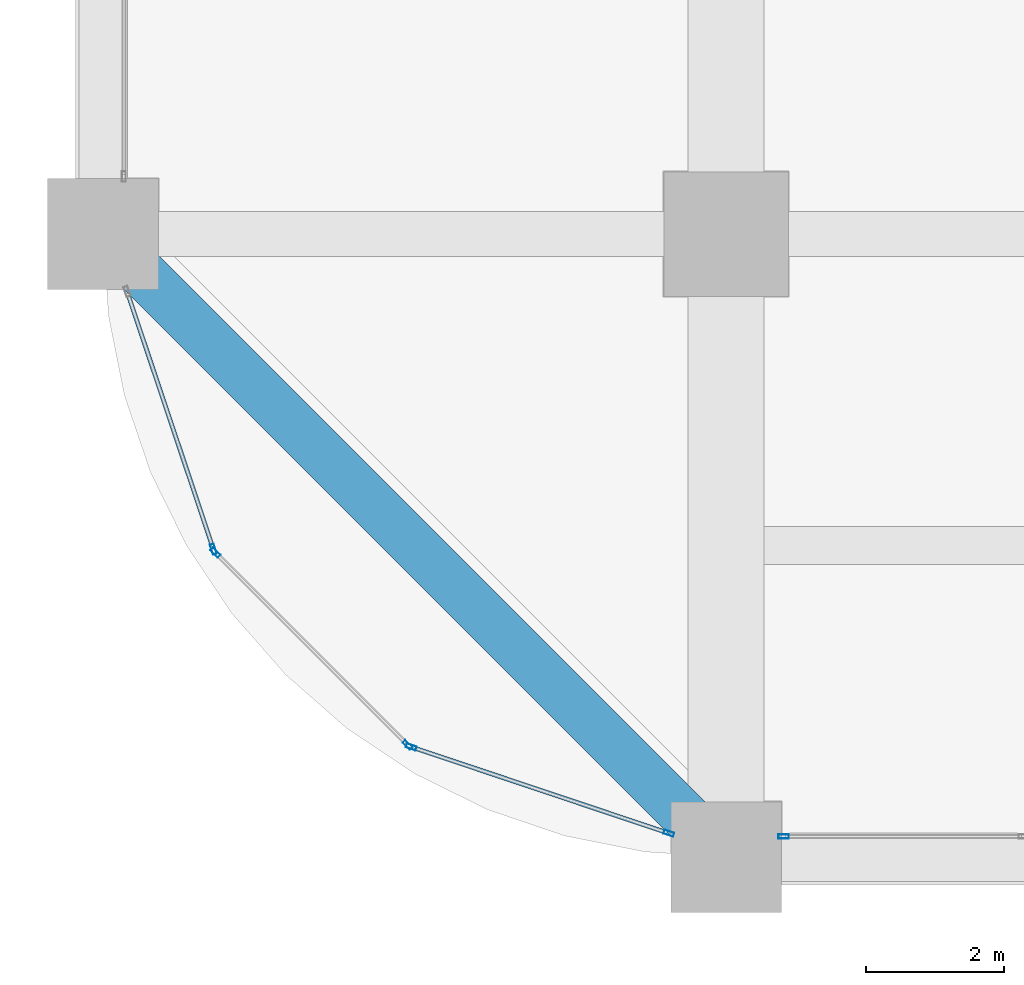
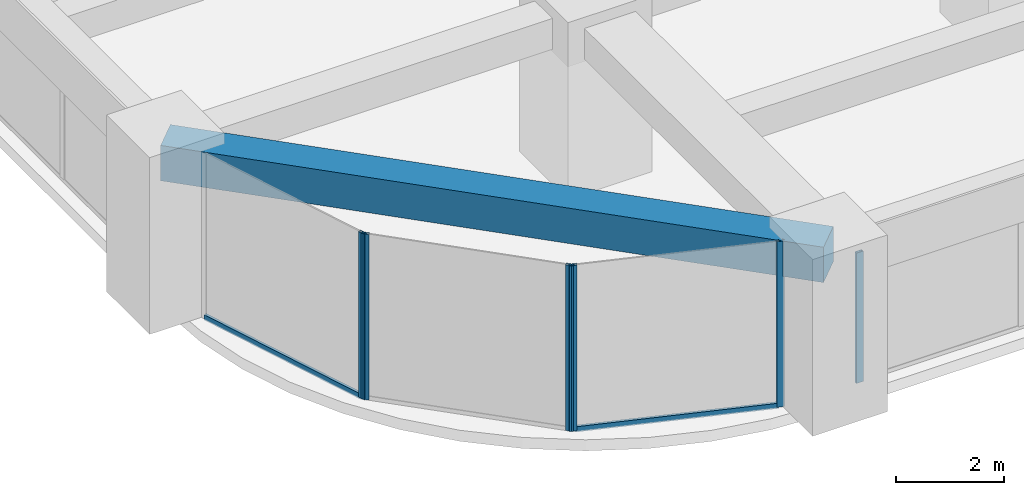
# One storey, part 2 of 39: 8 members, 1 beam, 4 elements without a shape of their own.
"""IFC4 building model written with IfcOpenShell, lengths in metres."""

from ifc_helpers import new_model, si_unit, direction, frame, origin, origin_2d, place, context, subcontext, project, spatial, rectangle, hollow_rectangle, extrude, material, material_profile, profile_set, type_object, element, aggregate, save


model = new_model("IFC4")

# Units and contexts
model_context = context("Model", 3, precision=1e-05, world=origin(), true_north=direction((0.0, 1.0)))
body_context = subcontext(model_context, "Body", "Model", "MODEL_VIEW")
ifc_project = project(units=[si_unit("LENGTHUNIT", "METRE"), si_unit("AREAUNIT", "SQUARE_METRE"), si_unit("VOLUMEUNIT", "CUBIC_METRE"), si_unit("PLANEANGLEUNIT", "RADIAN"), si_unit("MASSUNIT", "GRAM", prefix="KILO")], contexts=[model_context])

# Site, building, storey
site_placement = place(None, origin())
site = spatial("IfcSite", under=ifc_project, at=site_placement, CompositionType="ELEMENT")
building_placement = place(site_placement, origin())
building = spatial("IfcBuilding", under=site, at=building_placement, Name="Zorevar Civic Tower", CompositionType="ELEMENT")
storey_placement = place(building_placement, frame((0.0, 0.0, 125.0)))
storey = spatial("IfcBuildingStorey", under=building, at=storey_placement, Name="L30", CompositionType="ELEMENT", Elevation=125.0)

# Curtain wall, member
ifc_material_1 = material(Name="Dark grey solar-control glass in black aluminium frame", Category="aluminium")
curtain_wall_type = type_object("IfcCurtainWallType", Name="Curtain wall CW3 mid zone", PredefinedType="NOTDEFINED", material=ifc_material_1)
curtain_wall_1_placement = place(storey_placement, origin())
curtain_wall_1 = element("IfcCurtainWall", 1, at=curtain_wall_1_placement, inside=storey, type_object=curtain_wall_type, Name="CW3 L30", PredefinedType="NOTDEFINED")
ifc_material_2 = material(Name="Aluminium, black anodised", Category="aluminium")
ifc_material_profile_1 = material_profile(ifc_material_2, hollow_rectangle(XDim=0.06005859375, YDim=0.14990234375, WallThickness=0.00390625, at=origin_2d()), Name="AL 150x60x4")
ifc_profile_set_1 = profile_set([ifc_material_profile_1], Name="Aluminium, black anodised")
member_type_1 = type_object("IfcMemberType", Name="CW3 mullion AL 150x60x4", PredefinedType="MULLION", material=ifc_profile_set_1)
member_1_placement = place(storey_placement, frame((9.830078125, 0.300048828125, 0.0), z_axis=(0.0, 0.0, 1.0), x_axis=(0.0, 1.0, 0.0)))
member_1 = element("IfcMember", 2, at=member_1_placement, type_object=member_type_1, Name="CW3 mullion 1", PredefinedType="MULLION", context=body_context, shape_type="SweptSolid", body=[
    extrude(hollow_rectangle(XDim=0.06005859375, YDim=0.14990234375, WallThickness=0.00390625, at=origin_2d()), origin(), (0.0, 0.0, 1.0), 2.949951171875),
])
aggregate(curtain_wall_1, [member_1])

curtain_wall_2_placement = place(storey_placement, origin())
curtain_wall_2 = element("IfcCurtainWall", 3, at=curtain_wall_2_placement, inside=storey, type_object=curtain_wall_type, Name="CW3 L30", PredefinedType="NOTDEFINED")
member_2_placement = place(storey_placement, frame((1.59326171875, 4.44921875, 0.0), z_axis=(0.0, 0.0, 1.0), x_axis=(0.948227238701, 0.317592669603, 0.0)))
member_2 = element("IfcMember", 4, at=member_2_placement, type_object=member_type_1, Name="CW3 mullion 2", PredefinedType="MULLION", context=body_context, shape_type="SweptSolid", body=[
    extrude(hollow_rectangle(XDim=0.06005859375, YDim=0.14990234375, WallThickness=0.00390625, at=origin_2d()), origin(), (0.0, 0.0, 1.0), 3.75),
])

# Curtain wall, members
curtain_wall_3_placement = place(storey_placement, origin())
curtain_wall_3 = element("IfcCurtainWall", 5, at=curtain_wall_3_placement, inside=storey, type_object=curtain_wall_type, Name="CW3 L30", PredefinedType="NOTDEFINED")
member_3_placement = place(storey_placement, frame((1.6240234375, 4.399658203125, 0.0), z_axis=(0.0, 0.0, 1.0), x_axis=(0.707106781187, 0.707106781187, 0.0)))
member_3 = element("IfcMember", 6, at=member_3_placement, type_object=member_type_1, Name="CW3 mullion 1", PredefinedType="MULLION", context=body_context, shape_type="SweptSolid", body=[
    extrude(hollow_rectangle(XDim=0.06005859375, YDim=0.14990234375, WallThickness=0.00390625, at=origin_2d()), origin(), (0.0, 0.0, 1.0), 3.75),
])
member_4_placement = place(storey_placement, frame((4.399658203125, 1.6240234375, 0.0), z_axis=(0.0, 0.0, 1.0), x_axis=(0.707106781187, 0.707106781187, 0.0)))
member_4 = element("IfcMember", 7, at=member_4_placement, type_object=member_type_1, Name="CW3 mullion 2", PredefinedType="MULLION", context=body_context, shape_type="SweptSolid", body=[
    extrude(hollow_rectangle(XDim=0.06005859375, YDim=0.14990234375, WallThickness=0.00390625, at=origin_2d()), origin(), (0.0, 0.0, 1.0), 3.75),
])
aggregate(curtain_wall_3, [member_3, member_4])

curtain_wall_4_placement = place(storey_placement, origin())
curtain_wall_4 = element("IfcCurtainWall", 8, at=curtain_wall_4_placement, inside=storey, type_object=curtain_wall_type, Name="CW3 L30", PredefinedType="NOTDEFINED")
member_5_placement = place(storey_placement, frame((4.44921875, 1.59326171875, 0.0), z_axis=(0.0, 0.0, 1.0), x_axis=(0.317592669603, 0.948227238701, 0.0)))
member_5 = element("IfcMember", 9, at=member_5_placement, type_object=member_type_1, Name="CW3 mullion 1", PredefinedType="MULLION", context=body_context, shape_type="SweptSolid", body=[
    extrude(hollow_rectangle(XDim=0.06005859375, YDim=0.14990234375, WallThickness=0.00390625, at=origin_2d()), origin(), (0.0, 0.0, 1.0), 3.75),
])
member_6_placement = place(storey_placement, frame((8.171630859375, 0.346435546875, 0.0), z_axis=(0.0, 0.0, 1.0), x_axis=(0.317592669603, 0.948227238701, 0.0)))
member_6 = element("IfcMember", 10, at=member_6_placement, type_object=member_type_1, Name="CW3 mullion 2", PredefinedType="MULLION", context=body_context, shape_type="SweptSolid", body=[
    extrude(hollow_rectangle(XDim=0.06005859375, YDim=0.14990234375, WallThickness=0.00390625, at=origin_2d()), origin(), (0.0, 0.0, 1.0), 3.75),
])

# Member
ifc_material_3 = material(Name="Aluminium, black anodised", Category="aluminium")
ifc_material_profile_2 = material_profile(ifc_material_3, hollow_rectangle(XDim=0.06005859375, YDim=0.1201171875, WallThickness=0.0029296875, at=origin_2d()), Name="AL 120x60x3")
ifc_profile_set_2 = profile_set([ifc_material_profile_2], Name="Aluminium, black anodised")
member_type_2 = type_object("IfcMemberType", Name="CW3 transom AL 120x60x3", PredefinedType="USERDEFINED", material=ifc_profile_set_2)
member_7_placement = place(storey_placement, frame((0.35595703125, 8.14306640625, 0.030029296875), z_axis=(0.317629563458, -0.94821488093, 0.0), x_axis=(0.94821488093, 0.317629563458, 0.0)))
member_7 = element("IfcMember", 11, at=member_7_placement, type_object=member_type_2, Name="CW3 sill transom", ObjectType="TRANSOM", PredefinedType="USERDEFINED", context=body_context, shape_type="SweptSolid", body=[
    extrude(hollow_rectangle(XDim=0.06005859375, YDim=0.1201171875, WallThickness=0.0029296875, at=origin_2d()), origin(), (0.0, 0.0, 1.0), 3.865478515625),
])

aggregate(curtain_wall_2, [member_2, member_7])

member_8_placement = place(storey_placement, frame((4.477783203125, 1.583740234375, 0.030029296875), z_axis=(0.94821488093, -0.317629563458, 0.0), x_axis=(0.317629563458, 0.94821488093, 0.0)))
member_8 = element("IfcMember", 12, at=member_8_placement, type_object=member_type_2, Name="CW3 sill transom", ObjectType="TRANSOM", PredefinedType="USERDEFINED", context=body_context, shape_type="SweptSolid", body=[
    extrude(hollow_rectangle(XDim=0.06005859375, YDim=0.1201171875, WallThickness=0.0029296875, at=origin_2d()), origin(), (0.0, 0.0, 1.0), 3.865478515625),
])

aggregate(curtain_wall_4, [member_5, member_6, member_8])

# Beam
ifc_material_4 = material(Name="Concrete C50/60", Category="concrete")
ifc_material_profile_3 = material_profile(ifc_material_4, rectangle(XDim=0.699951171875, YDim=0.800048828125, at=origin_2d()), Name="RC 700x800")
ifc_profile_set_3 = profile_set([ifc_material_profile_3], Name="Concrete C50/60")
beam_type = type_object("IfcBeamType", Name="Edge beam RC 700x800", PredefinedType="SPANDREL", material=ifc_profile_set_3)
beam_placement = place(storey_placement, frame((0.0, 9.0, 3.35009765625), z_axis=(0.707106781187, -0.707106781187, 0.0), x_axis=(0.707106781187, 0.707106781187, 0.0)))
element("IfcBeam", 13, at=beam_placement, inside=storey, type_object=beam_type, Name="Corner edge beam L31", PredefinedType="SPANDREL", context=body_context, shape_type="SweptSolid", body=[
    extrude(rectangle(XDim=0.699951171875, YDim=0.800048828125, at=origin_2d()), origin(), (0.0, 0.0, 1.0), 12.72802734375),
])

save(model, "model.ifc")
